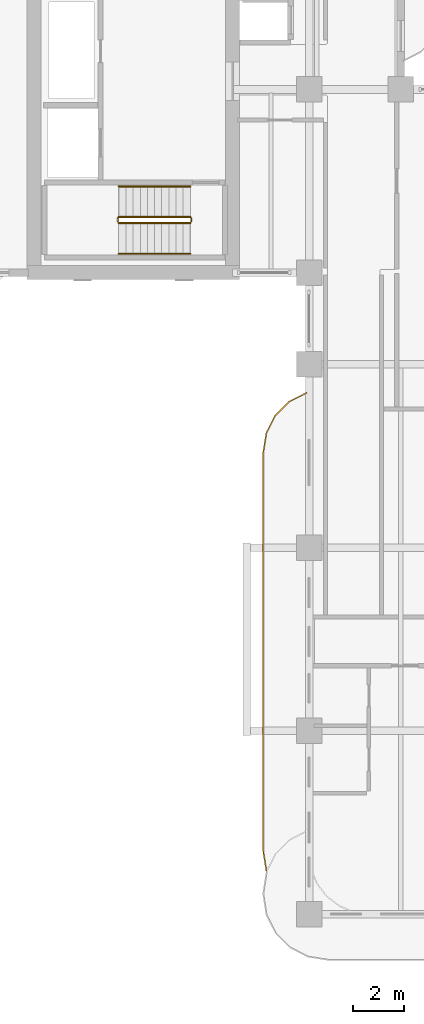
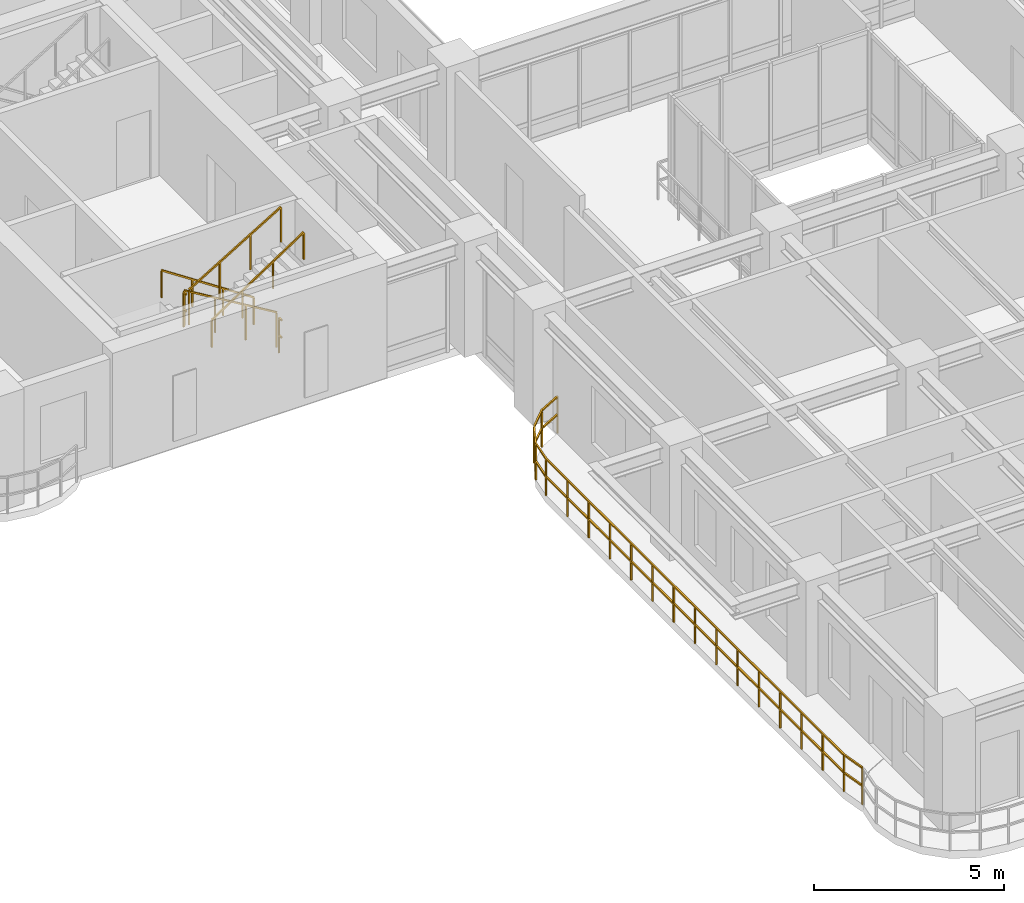
# One storey, part 16 of 20: 7 railings.
"""IFC4 building model written with IfcOpenShell, lengths in metres."""

from ifc_helpers import new_model, si_unit, derived_unit, direction, frame, origin, origin_2d, place, context, subcontext, project, spatial, rectangle, extrude, material, type_object, element, save


model = new_model("IFC4")

# Units and contexts
model_context = context("Model", 3, precision=1e-05, world=origin(), true_north=direction((0.0, 1.0)))
body_context = subcontext(model_context, "Body", "Model", "MODEL_VIEW")
ifc_project = project(units=[si_unit("LENGTHUNIT", "METRE"), si_unit("AREAUNIT", "SQUARE_METRE"), si_unit("VOLUMEUNIT", "CUBIC_METRE"), si_unit("PLANEANGLEUNIT", "RADIAN"), si_unit("MASSUNIT", "GRAM", prefix="KILO"), si_unit("THERMODYNAMICTEMPERATUREUNIT", "KELVIN"), si_unit("POWERUNIT", "WATT"), derived_unit("THERMALTRANSMITTANCEUNIT", [(si_unit("POWERUNIT", "WATT"), 1), (si_unit("AREAUNIT", "SQUARE_METRE"), -1), (si_unit("THERMODYNAMICTEMPERATUREUNIT", "KELVIN"), -1)])], contexts=[model_context])

# Site, building, storey
site_placement = place(None, origin())
site = spatial("IfcSite", under=ifc_project, at=site_placement, CompositionType="ELEMENT")
building_placement = place(site_placement, origin())
building = spatial("IfcBuilding", under=site, at=building_placement, Name="Zahravan Archway Hotel and Residences", CompositionType="ELEMENT")
storey_placement = place(building_placement, frame((0.0, 0.0, 111.800048828125)))
storey = spatial("IfcBuildingStorey", under=building, at=storey_placement, Name="L27", CompositionType="ELEMENT", Elevation=111.800048828125)

# Railings
ifc_material_1 = material(Name="Bronze & Laminated Glass Balustrade", Category="glass")
railing_type_1 = type_object("IfcRailingType", Name="RL-BAL-1200", PredefinedType="BALUSTRADE", material=ifc_material_1)
railing_1_placement = place(storey_placement, frame((12.719970703125, 1.69287109375, 0.0)))
element("IfcRailing", 1, at=railing_1_placement, inside=storey, type_object=railing_type_1, Name="L27 Balustrade RL-SLB-BAL-L27-WA-1", PredefinedType="BALUSTRADE", context=body_context, shape_type="SweptSolid", body=[
    extrude(rectangle(XDim=0.048095703125, YDim=0.048095703125, at=origin_2d()), frame((0.0, 0.0, 1.17578125), z_axis=(-0.156387811283, 0.987695728695, 0.0), x_axis=(-0.987695728695, -0.156387811283, 0.0)), (0.0, 0.0, 1.0), 0.7666015625),
    extrude(rectangle(XDim=0.048095703125, YDim=0.048095703125, at=origin_2d()), frame((0.0, 0.0, 0.60009765625), z_axis=(-0.156387811283, 0.987695728695, 0.0), x_axis=(-0.987695728695, -0.156387811283, 0.0)), (0.0, 0.0, 1.0), 0.7666015625),
    extrude(rectangle(XDim=0.048095703125, YDim=0.048095703125, at=origin_2d()), frame((-0.119873046875, 0.757080078125, 1.17578125), z_axis=(0.0, 1.0, 0.0), x_axis=(-1.0, 0.0, 0.0)), (0.0, 0.0, 1.0), 15.699951171875),
    extrude(rectangle(XDim=0.048095703125, YDim=0.048095703125, at=origin_2d()), frame((-0.119873046875, 0.757080078125, 0.60009765625), z_axis=(0.0, 1.0, 0.0), x_axis=(-1.0, 0.0, 0.0)), (0.0, 0.0, 1.0), 15.699951171875),
    extrude(rectangle(XDim=0.048095703125, YDim=0.048095703125, at=origin_2d()), frame((-0.119873046875, 16.45703125, 1.17578125), z_axis=(0.156387811283, 0.987695728695, 0.0), x_axis=(-0.987695728695, 0.156387811283, 0.0)), (0.0, 0.0, 1.0), 0.7666015625),
    extrude(rectangle(XDim=0.048095703125, YDim=0.048095703125, at=origin_2d()), frame((-0.119873046875, 16.45703125, 0.60009765625), z_axis=(0.156387811283, 0.987695728695, 0.0), x_axis=(-0.987695728695, 0.156387811283, 0.0)), (0.0, 0.0, 1.0), 0.7666015625),
    extrude(rectangle(XDim=0.048095703125, YDim=0.048095703125, at=origin_2d()), frame((0.0, 17.214111328125, 1.17578125), z_axis=(0.453825591531, 0.891090529897, 0.0), x_axis=(-0.891090529897, 0.453825591531, 0.0)), (0.0, 0.0, 1.0), 0.7666015625),
    extrude(rectangle(XDim=0.048095703125, YDim=0.048095703125, at=origin_2d()), frame((0.0, 17.214111328125, 0.60009765625), z_axis=(0.453825591531, 0.891090529897, 0.0), x_axis=(-0.891090529897, 0.453825591531, 0.0)), (0.0, 0.0, 1.0), 0.7666015625),
    extrude(rectangle(XDim=0.048095703125, YDim=0.048095703125, at=origin_2d()), frame((0.347900390625, 17.897216796875, 1.17578125), z_axis=(0.707106781187, 0.707106781187, 0.0), x_axis=(-0.707106781187, 0.707106781187, 0.0)), (0.0, 0.0, 1.0), 0.7666015625),
    extrude(rectangle(XDim=0.048095703125, YDim=0.048095703125, at=origin_2d()), frame((0.347900390625, 17.897216796875, 0.60009765625), z_axis=(0.707106781187, 0.707106781187, 0.0), x_axis=(-0.707106781187, 0.707106781187, 0.0)), (0.0, 0.0, 1.0), 0.7666015625),
    extrude(rectangle(XDim=0.048095703125, YDim=0.048095703125, at=origin_2d()), frame((0.889892578125, 18.439208984375, 1.17578125), z_axis=(0.891090529897, 0.453825591531, 0.0), x_axis=(-0.453825591531, 0.891090529897, 0.0)), (0.0, 0.0, 1.0), 0.7666015625),
    extrude(rectangle(XDim=0.048095703125, YDim=0.048095703125, at=origin_2d()), frame((0.889892578125, 18.439208984375, 0.60009765625), z_axis=(0.891090529897, 0.453825591531, 0.0), x_axis=(-0.453825591531, 0.891090529897, 0.0)), (0.0, 0.0, 1.0), 0.7666015625),
    extrude(rectangle(XDim=0.0419921875, YDim=0.0419921875, at=origin_2d()), origin(), (0.0, 0.0, 1.0), 1.15185546875),
    extrude(rectangle(XDim=0.0419921875, YDim=0.0419921875, at=origin_2d()), frame((-0.119873046875, 0.757080078125, 0.0)), (0.0, 0.0, 1.0), 1.15185546875),
    extrude(rectangle(XDim=0.0419921875, YDim=0.0419921875, at=origin_2d()), frame((-0.119873046875, 1.87841796875, 0.0)), (0.0, 0.0, 1.0), 1.15185546875),
    extrude(rectangle(XDim=0.0419921875, YDim=0.0419921875, at=origin_2d()), frame((-0.119873046875, 3.0, 0.0)), (0.0, 0.0, 1.0), 1.15185546875),
    extrude(rectangle(XDim=0.0419921875, YDim=0.0419921875, at=origin_2d()), frame((-0.119873046875, 4.121337890625, 0.0)), (0.0, 0.0, 1.0), 1.15185546875),
    extrude(rectangle(XDim=0.0419921875, YDim=0.0419921875, at=origin_2d()), frame((-0.119873046875, 5.24267578125, 0.0)), (0.0, 0.0, 1.0), 1.15185546875),
    extrude(rectangle(XDim=0.0419921875, YDim=0.0419921875, at=origin_2d()), frame((-0.119873046875, 6.3642578125, 0.0)), (0.0, 0.0, 1.0), 1.15185546875),
    extrude(rectangle(XDim=0.0419921875, YDim=0.0419921875, at=origin_2d()), frame((-0.119873046875, 7.485595703125, 0.0)), (0.0, 0.0, 1.0), 1.15185546875),
    extrude(rectangle(XDim=0.0419921875, YDim=0.0419921875, at=origin_2d()), frame((-0.119873046875, 8.60693359375, 0.0)), (0.0, 0.0, 1.0), 1.15185546875),
    extrude(rectangle(XDim=0.0419921875, YDim=0.0419921875, at=origin_2d()), frame((-0.119873046875, 9.728515625, 0.0)), (0.0, 0.0, 1.0), 1.15185546875),
    extrude(rectangle(XDim=0.0419921875, YDim=0.0419921875, at=origin_2d()), frame((-0.119873046875, 10.849853515625, 0.0)), (0.0, 0.0, 1.0), 1.15185546875),
    extrude(rectangle(XDim=0.0419921875, YDim=0.0419921875, at=origin_2d()), frame((-0.119873046875, 11.971435546875, 0.0)), (0.0, 0.0, 1.0), 1.15185546875),
    extrude(rectangle(XDim=0.0419921875, YDim=0.0419921875, at=origin_2d()), frame((-0.119873046875, 13.0927734375, 0.0)), (0.0, 0.0, 1.0), 1.15185546875),
    extrude(rectangle(XDim=0.0419921875, YDim=0.0419921875, at=origin_2d()), frame((-0.119873046875, 14.214111328125, 0.0)), (0.0, 0.0, 1.0), 1.15185546875),
    extrude(rectangle(XDim=0.0419921875, YDim=0.0419921875, at=origin_2d()), frame((-0.119873046875, 15.335693359375, 0.0)), (0.0, 0.0, 1.0), 1.15185546875),
    extrude(rectangle(XDim=0.0419921875, YDim=0.0419921875, at=origin_2d()), frame((-0.119873046875, 16.45703125, 0.0)), (0.0, 0.0, 1.0), 1.15185546875),
    extrude(rectangle(XDim=0.0419921875, YDim=0.0419921875, at=origin_2d()), frame((0.0, 17.214111328125, 0.0)), (0.0, 0.0, 1.0), 1.15185546875),
    extrude(rectangle(XDim=0.0419921875, YDim=0.0419921875, at=origin_2d()), frame((0.347900390625, 17.897216796875, 0.0)), (0.0, 0.0, 1.0), 1.15185546875),
    extrude(rectangle(XDim=0.0419921875, YDim=0.0419921875, at=origin_2d()), frame((0.889892578125, 18.439208984375, 0.0)), (0.0, 0.0, 1.0), 1.15185546875),
    extrude(rectangle(XDim=0.0419921875, YDim=0.0419921875, at=origin_2d()), frame((1.572998046875, 18.787109375, 0.0)), (0.0, 0.0, 1.0), 1.15185546875),
])
ifc_material_2 = material(Name="Painted Tubular Steel", Category="steel")
railing_type_2 = type_object("IfcRailingType", Name="RL-STG-1150", PredefinedType="GUARDRAIL", material=ifc_material_2)
railing_2_placement = place(storey_placement, frame((9.72998046875, 27.389892578125, 0.168212890625)))
element("IfcRailing", 2, at=railing_2_placement, inside=storey, type_object=railing_type_2, Name="L27 ST-B1 stair guard 1", PredefinedType="GUARDRAIL", context=body_context, shape_type="SweptSolid", body=[
    extrude(rectangle(XDim=0.048095703125, YDim=0.048095703125, at=origin_2d()), frame((0.0, 0.0, 1.1259765625), z_axis=(-0.857275202839, 0.0, 0.514858452973), x_axis=(0.0, -1.0, 0.0)), (0.0, 0.0, 1.0), 3.26611328125),
    extrude(rectangle(XDim=0.0419921875, YDim=0.0419921875, at=origin_2d()), origin(), (0.0, 0.0, 1.0), 1.101806640625),
    extrude(rectangle(XDim=0.0419921875, YDim=0.0419921875, at=origin_2d()), frame((-0.933349609375, 0.0, 0.560546875)), (0.0, 0.0, 1.0), 1.101806640625),
    extrude(rectangle(XDim=0.0419921875, YDim=0.0419921875, at=origin_2d()), frame((-1.86669921875, 0.0, 1.12109375)), (0.0, 0.0, 1.0), 1.101806640625),
    extrude(rectangle(XDim=0.0419921875, YDim=0.0419921875, at=origin_2d()), frame((-2.800048828125, 0.0, 1.681640625)), (0.0, 0.0, 1.0), 1.101806640625),
])
railing_3_placement = place(storey_placement, frame((6.8798828125, 27.340087890625, 1.849853515625)))
element("IfcRailing", 3, at=railing_3_placement, inside=storey, type_object=railing_type_2, Name="L27 ST-B1 stair guard 2", PredefinedType="GUARDRAIL", context=body_context, shape_type="SweptSolid", body=[
    extrude(rectangle(XDim=0.048095703125, YDim=0.048095703125, at=origin_2d()), frame((0.0, 0.0, 1.1259765625), z_axis=(0.0, -1.0, 0.0), x_axis=(1.0, 0.0, 0.0)), (0.0, 0.0, 1.0), 0.14013671875),
    extrude(rectangle(XDim=0.048095703125, YDim=0.048095703125, at=origin_2d()), frame((0.0, 0.0, 0.574951171875), z_axis=(0.0, -1.0, 0.0), x_axis=(1.0, 0.0, 0.0)), (0.0, 0.0, 1.0), 0.14013671875),
    extrude(rectangle(XDim=0.0419921875, YDim=0.0419921875, at=origin_2d()), origin(), (0.0, 0.0, 1.0), 1.101806640625),
])
railing_4_placement = place(storey_placement, frame((6.929931640625, 27.14990234375, 2.01806640625)))
element("IfcRailing", 4, at=railing_4_placement, inside=storey, type_object=railing_type_2, Name="L27 ST-B1 stair guard 3", PredefinedType="GUARDRAIL", context=body_context, shape_type="SweptSolid", body=[
    extrude(rectangle(XDim=0.048095703125, YDim=0.048095703125, at=origin_2d()), frame((0.0, 0.0, 1.1259765625), z_axis=(0.857242210791, 0.0, 0.514913383045), x_axis=(0.0, 1.0, 0.0)), (0.0, 0.0, 1.0), 3.266357421875),
    extrude(rectangle(XDim=0.0419921875, YDim=0.0419921875, at=origin_2d()), origin(), (0.0, 0.0, 1.0), 1.101806640625),
    extrude(rectangle(XDim=0.0419921875, YDim=0.0419921875, at=origin_2d()), frame((0.933349609375, 0.0, 0.560546875)), (0.0, 0.0, 1.0), 1.101806640625),
    extrude(rectangle(XDim=0.0419921875, YDim=0.0419921875, at=origin_2d()), frame((1.86669921875, 0.0, 1.121337890625)), (0.0, 0.0, 1.0), 1.101806640625),
    extrude(rectangle(XDim=0.0419921875, YDim=0.0419921875, at=origin_2d()), frame((2.800048828125, 0.0, 1.681884765625)), (0.0, 0.0, 1.0), 1.101806640625),
])
railing_5_placement = place(storey_placement, frame((9.780029296875, 27.340087890625, 0.0)))
element("IfcRailing", 5, at=railing_5_placement, inside=storey, type_object=railing_type_2, Name="L27 ST-B1 stair guard 4", PredefinedType="GUARDRAIL", context=body_context, shape_type="SweptSolid", body=[
    extrude(rectangle(XDim=0.048095703125, YDim=0.048095703125, at=origin_2d()), frame((0.0, 0.0, 1.1259765625), z_axis=(0.0, -1.0, 0.0), x_axis=(1.0, 0.0, 0.0)), (0.0, 0.0, 1.0), 0.14013671875),
    extrude(rectangle(XDim=0.048095703125, YDim=0.048095703125, at=origin_2d()), frame((0.0, 0.0, 0.574951171875), z_axis=(0.0, -1.0, 0.0), x_axis=(1.0, 0.0, 0.0)), (0.0, 0.0, 1.0), 0.14013671875),
    extrude(rectangle(XDim=0.0419921875, YDim=0.0419921875, at=origin_2d()), origin(), (0.0, 0.0, 1.0), 1.101806640625),
])
ifc_material_3 = material(Name="Brushed Stainless Steel", Category="steel")
railing_type_3 = type_object("IfcRailingType", Name="RL-STH-900", PredefinedType="HANDRAIL", material=ifc_material_3)
railing_6_placement = place(storey_placement, frame((9.72998046875, 28.590087890625, 0.168212890625)))
element("IfcRailing", 6, at=railing_6_placement, inside=storey, type_object=railing_type_3, Name="L27 ST-B1 stair handrail 1", PredefinedType="HANDRAIL", context=body_context, shape_type="SweptSolid", body=[
    extrude(rectangle(XDim=0.048095703125, YDim=0.048095703125, at=origin_2d()), frame((0.0, 0.0, 0.8759765625), z_axis=(-0.83435981716, 0.0, 0.551220187865), x_axis=(0.0, -1.0, 0.0)), (0.0, 0.0, 1.0), 3.35595703125),
    extrude(rectangle(XDim=0.0419921875, YDim=0.0419921875, at=origin_2d()), origin(), (0.0, 0.0, 1.0), 0.851806640625),
    extrude(rectangle(XDim=0.0419921875, YDim=0.0419921875, at=origin_2d()), frame((-0.933349609375, 0.0, 0.61669921875)), (0.0, 0.0, 1.0), 0.851806640625),
    extrude(rectangle(XDim=0.0419921875, YDim=0.0419921875, at=origin_2d()), frame((-1.86669921875, 0.0, 1.233154296875)), (0.0, 0.0, 1.0), 0.851806640625),
    extrude(rectangle(XDim=0.0419921875, YDim=0.0419921875, at=origin_2d()), frame((-2.800048828125, 0.0, 1.849853515625)), (0.0, 0.0, 1.0), 0.851806640625),
])
railing_7_placement = place(storey_placement, frame((6.929931640625, 25.949951171875, 2.01806640625)))
element("IfcRailing", 7, at=railing_7_placement, inside=storey, type_object=railing_type_3, Name="L27 ST-B1 stair handrail 2", PredefinedType="HANDRAIL", context=body_context, shape_type="SweptSolid", body=[
    extrude(rectangle(XDim=0.048095703125, YDim=0.048095703125, at=origin_2d()), frame((0.0, 0.0, 0.8759765625), z_axis=(0.834326358476, 0.0, 0.551270829586), x_axis=(0.0, 1.0, 0.0)), (0.0, 0.0, 1.0), 3.35595703125),
    extrude(rectangle(XDim=0.0419921875, YDim=0.0419921875, at=origin_2d()), origin(), (0.0, 0.0, 1.0), 0.851806640625),
    extrude(rectangle(XDim=0.0419921875, YDim=0.0419921875, at=origin_2d()), frame((0.933349609375, 0.0, 0.61669921875)), (0.0, 0.0, 1.0), 0.851806640625),
    extrude(rectangle(XDim=0.0419921875, YDim=0.0419921875, at=origin_2d()), frame((1.86669921875, 0.0, 1.2333984375)), (0.0, 0.0, 1.0), 0.851806640625),
    extrude(rectangle(XDim=0.0419921875, YDim=0.0419921875, at=origin_2d()), frame((2.800048828125, 0.0, 1.85009765625)), (0.0, 0.0, 1.0), 0.851806640625),
])

save(model, "model.ifc")
